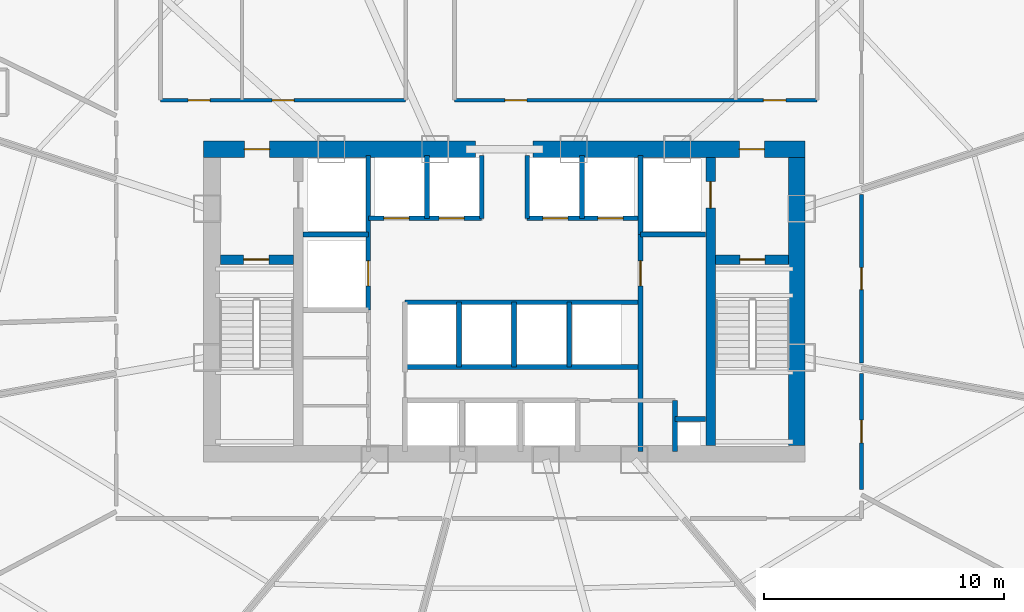
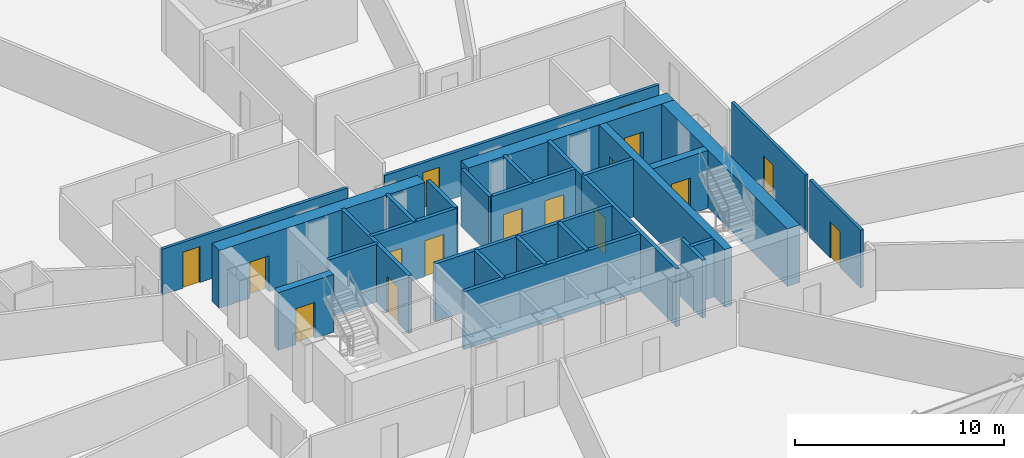
# One storey, part 30 of 37: 28 walls, 17 doors, 17 openings.
"""IFC4 building model written with IfcOpenShell, lengths in metres."""

from ifc_helpers import new_model, si_unit, direction, frame, frame_2d, origin, origin_with_axes, place, context, subcontext, project, spatial, rectangle, extrude, source, transform, mapped, material, layer, layer_set, type_object, element, fill, save


model = new_model("IFC4")

# Units and contexts
model_context = context("Model", 3, precision=1e-05, world=origin(), true_north=direction((0.0, 1.0)))
body_context = subcontext(model_context, "Body", "Model", "MODEL_VIEW")
ifc_project = project(units=[si_unit("LENGTHUNIT", "METRE"), si_unit("AREAUNIT", "SQUARE_METRE"), si_unit("VOLUMEUNIT", "CUBIC_METRE"), si_unit("PLANEANGLEUNIT", "RADIAN"), si_unit("MASSUNIT", "GRAM", prefix="KILO"), si_unit("THERMODYNAMICTEMPERATUREUNIT", "KELVIN"), si_unit("POWERUNIT", "WATT")], contexts=[model_context])

# Site, building, storey
site_placement = place(None, origin())
site = spatial("IfcSite", under=ifc_project, at=site_placement, CompositionType="ELEMENT")
building_placement = place(site_placement, origin())
building = spatial("IfcBuilding", under=site, at=building_placement, Name="Yunzhuo Pagoda Commons", CompositionType="ELEMENT")
storey_placement = place(building_placement, frame((0.0, 0.0, 55.81005859375)))
storey = spatial("IfcBuildingStorey", under=building, at=storey_placement, Name="L14", CompositionType="ELEMENT", Elevation=55.81005859375)

# Wall, opening, door
ifc_material_1 = material(Name="Concrete C60", Category="concrete")
ifc_layer_1 = layer(ifc_material_1, 0.699951171875)
ifc_layer_set_1 = layer_set([ifc_layer_1], Name="Concrete C60")
wall_type_1 = type_object("IfcWallType", Name="W-C01 Lower Core Shear Wall 700", PredefinedType="SHEAR", material=ifc_layer_set_1)
wall_1_placement = place(storey_placement, frame((35.449951171875, 40.199951171875, 0.0), z_axis=(0.0, 0.0, 1.0), x_axis=(1.0, 0.0, 0.0)))
wall_1 = element("IfcWall", 1, at=wall_1_placement, inside=storey, type_object=wall_type_1, Name="L14 core shear wall NW", PredefinedType="SHEAR", context=body_context, shape_type="SweptSolid", body=[
    extrude(rectangle(XDim=11.35009765625, YDim=0.699951171875, at=frame_2d((5.675048828125, 0.0))), origin(), (0.0, 0.0, 1.0), 3.369873046875),
])
opening_1_placement = place(wall_1_placement, frame((1.699951171875, 0.0, 0.0)))
opening_1 = element("IfcOpeningElement", 2, at=opening_1_placement, cuts=wall_1, Name="Opening D-02", PredefinedType="OPENING", context=body_context, shape_type="SweptSolid", body=[
    extrude(rectangle(XDim=1.050048828125, YDim=2.10009765625, at=frame_2d((0.52490234375, 1.050048828125))), frame((0.0, 0.35986328125, 0.0), z_axis=(0.0, -1.0, 0.0), x_axis=(1.0, 0.0, 0.0)), (0.0, 0.0, 1.0), 0.719970703125),
])
ifc_material_2 = material(Name="Galvanized fire-resisting metal leaf")
door_type_1 = type_object("IfcDoorType", Name="D-02 Firefighting Lobby & Refuge Fire Door 1050x2100", OperationType="NOTDEFINED", PredefinedType="DOOR", material=ifc_material_2)
shared_shape_1 = source(origin(), body_context, "Body", "SweptSolid", [
    extrude(rectangle(XDim=1.050048828125, YDim=2.10009765625, at=frame_2d((0.52490234375, 1.050048828125))), frame((0.0, 0.02490234375, 0.0), z_axis=(0.0, -1.0, 0.0), x_axis=(1.0, 0.0, 0.0)), (0.0, 0.0, 1.0), 0.050048828125),
])
door_1_placement = place(opening_1_placement, frame((1.050048828125, 0.0, 0.0), z_axis=(0.0, 0.0, 1.0), x_axis=(-1.0, 0.0, 0.0)))
door_1 = element("IfcDoor", 3, at=door_1_placement, inside=storey, type_object=door_type_1, Name="L14 Firefighting Lobby 1 fire door", OperationType="SINGLE_SWING_LEFT", OverallHeight=2.10009765625, OverallWidth=1.050048828125, PredefinedType="DOOR", context=body_context, shape_type="MappedRepresentation", body=[
    mapped(shared_shape_1, transform((0.0, 0.0, 0.0), scale=1.0)),
])
fill(opening_1, door_1)

wall_2_placement = place(storey_placement, frame((49.199951171875, 40.199951171875, 0.0), z_axis=(0.0, 0.0, 1.0), x_axis=(1.0, 0.0, 0.0)))
wall_2 = element("IfcWall", 4, at=wall_2_placement, inside=storey, type_object=wall_type_1, Name="L14 core shear wall NE", PredefinedType="SHEAR", context=body_context, shape_type="SweptSolid", body=[
    extrude(rectangle(XDim=11.35009765625, YDim=0.699951171875, at=frame_2d((5.675048828125, 0.0))), origin(), (0.0, 0.0, 1.0), 3.369873046875),
])
opening_2_placement = place(wall_2_placement, frame((8.60009765625, 0.0, 0.0)))
opening_2 = element("IfcOpeningElement", 5, at=opening_2_placement, cuts=wall_2, Name="Opening D-02", PredefinedType="OPENING", context=body_context, shape_type="SweptSolid", body=[
    extrude(rectangle(XDim=1.050048828125, YDim=2.10009765625, at=frame_2d((0.52490234375, 1.050048828125))), frame((0.0, 0.35986328125, 0.0), z_axis=(0.0, -1.0, 0.0), x_axis=(1.0, 0.0, 0.0)), (0.0, 0.0, 1.0), 0.719970703125),
])
door_2_placement = place(opening_2_placement, frame((1.050048828125, 0.0, 0.0), z_axis=(0.0, 0.0, 1.0), x_axis=(-1.0, 0.0, 0.0)))
door_2 = element("IfcDoor", 6, at=door_2_placement, inside=storey, type_object=door_type_1, Name="L14 Firefighting Lobby 2 fire door", OperationType="SINGLE_SWING_RIGHT", OverallHeight=2.10009765625, OverallWidth=1.050048828125, PredefinedType="DOOR", context=body_context, shape_type="MappedRepresentation", body=[
    mapped(shared_shape_1, transform((0.0, 0.0, 0.0), scale=1.0)),
])
fill(opening_2, door_2)

# Wall
wall_3_placement = place(storey_placement, frame((60.199951171875, 27.85009765625, 0.0), z_axis=(0.0, 0.0, 1.0), x_axis=(0.0, 1.0, 0.0)))
element("IfcWall", 7, at=wall_3_placement, inside=storey, type_object=wall_type_1, Name="L14 core shear wall E", PredefinedType="SHEAR", context=body_context, shape_type="SweptSolid", body=[
    extrude(rectangle(XDim=12.0, YDim=0.699951171875, at=frame_2d((6.0, 0.0))), origin(), (0.0, 0.0, 1.0), 3.369873046875),
])

# Wall, openings, doors
ifc_material_3 = material(Name="Gypsum plasterboard on acoustic stud")
ifc_layer_2 = layer(ifc_material_3, 0.159912109375)
ifc_layer_set_2 = layer_set([ifc_layer_2], Name="Gypsum plasterboard on acoustic stud")
wall_type_2 = type_object("IfcWallType", Name="W-COR1 Tower Rated Corridor Wall 160", PredefinedType="PARTITIONING", material=ifc_layer_set_2)
wall_4_placement = place(storey_placement, frame((33.64990234375, 42.25, 0.0), z_axis=(0.0, 0.0, 1.0), x_axis=(1.0, 0.0, 0.0)))
wall_4 = element("IfcWall", 8, at=wall_4_placement, inside=storey, type_object=wall_type_2, Name="L14 interior wall IW-L14-ISLWS", PredefinedType="PARTITIONING", context=body_context, shape_type="SweptSolid", body=[
    extrude(rectangle(XDim=10.22998046875, YDim=0.159912109375, at=frame_2d((5.114990234375, 0.0))), origin(), (0.0, 0.0, 1.0), 2.669921875),
])
opening_3_placement = place(wall_4_placement, frame((1.14990234375, 0.0, 0.0)))
opening_3 = element("IfcOpeningElement", 9, at=opening_3_placement, cuts=wall_4, Name="Opening D-04", PredefinedType="OPENING", context=body_context, shape_type="SweptSolid", body=[
    extrude(rectangle(XDim=0.919921875, YDim=2.10009765625, at=frame_2d((0.4599609375, 1.050048828125))), frame((0.0, 0.08984375, 0.0), z_axis=(0.0, -1.0, 0.0), x_axis=(1.0, 0.0, 0.0)), (0.0, 0.0, 1.0), 0.179931640625),
])
opening_4_placement = place(wall_4_placement, frame((4.64990234375, 0.0, 0.0)))
opening_4 = element("IfcOpeningElement", 10, at=opening_4_placement, cuts=wall_4, Name="Opening D-04", PredefinedType="OPENING", context=body_context, shape_type="SweptSolid", body=[
    extrude(rectangle(XDim=0.919921875, YDim=2.10009765625, at=frame_2d((0.4599609375, 1.050048828125))), frame((0.0, 0.08984375, 0.0), z_axis=(0.0, -1.0, 0.0), x_axis=(1.0, 0.0, 0.0)), (0.0, 0.0, 1.0), 0.179931640625),
])
ifc_material_4 = material(Name="Powder-coated aluminium and timber acoustic leaf", Category="wood")
door_type_2 = type_object("IfcDoorType", Name="D-04 Bedroom & Study Interior Door 920x2100", OperationType="NOTDEFINED", PredefinedType="DOOR", material=ifc_material_4)
shared_shape_2 = source(origin(), body_context, "Body", "SweptSolid", [
    extrude(rectangle(XDim=0.919921875, YDim=2.10009765625, at=frame_2d((0.4599609375, 1.050048828125))), frame((0.0, 0.02490234375, 0.0), z_axis=(0.0, -1.0, 0.0), x_axis=(1.0, 0.0, 0.0)), (0.0, 0.0, 1.0), 0.050048828125),
])
door_3_placement = place(opening_3_placement, frame((0.919921875, 0.0, 0.0), z_axis=(0.0, 0.0, 1.0), x_axis=(-1.0, 0.0, 0.0)))
door_3 = element("IfcDoor", 11, at=door_3_placement, inside=storey, type_object=door_type_2, Name="L14 laundry door", OperationType="SINGLE_SWING_LEFT", OverallHeight=2.10009765625, OverallWidth=0.919921875, PredefinedType="DOOR", context=body_context, shape_type="MappedRepresentation", body=[
    mapped(shared_shape_2, transform((0.0, 0.0, 0.0), scale=1.0)),
])
fill(opening_3, door_3)
door_4_placement = place(opening_4_placement, frame((0.919921875, 0.0, 0.0), z_axis=(0.0, 0.0, 1.0), x_axis=(-1.0, 0.0, 0.0)))
door_4 = element("IfcDoor", 12, at=door_4_placement, inside=storey, type_object=door_type_2, Name="L14 study commons W door", OperationType="SINGLE_SWING_RIGHT", OverallHeight=2.10009765625, OverallWidth=0.919921875, PredefinedType="DOOR", context=body_context, shape_type="MappedRepresentation", body=[
    mapped(shared_shape_2, transform((0.0, 0.0, 0.0), scale=1.0)),
])
fill(opening_4, door_4)

wall_5_placement = place(storey_placement, frame((45.919921875, 42.25, 0.0), z_axis=(0.0, 0.0, 1.0), x_axis=(1.0, 0.0, 0.0)))
wall_5 = element("IfcWall", 13, at=wall_5_placement, inside=storey, type_object=wall_type_2, Name="L14 interior wall IW-L14-ISLES", PredefinedType="PARTITIONING", context=body_context, shape_type="SweptSolid", body=[
    extrude(rectangle(XDim=15.130126953125, YDim=0.159912109375, at=frame_2d((7.56494140625, 0.0))), origin(), (0.0, 0.0, 1.0), 2.669921875),
])
opening_5_placement = place(wall_5_placement, frame((2.10009765625, 0.0, 0.0)))
opening_5 = element("IfcOpeningElement", 14, at=opening_5_placement, cuts=wall_5, Name="Opening D-04", PredefinedType="OPENING", context=body_context, shape_type="SweptSolid", body=[
    extrude(rectangle(XDim=0.919921875, YDim=2.10009765625, at=frame_2d((0.4599609375, 1.050048828125))), frame((0.0, 0.08984375, 0.0), z_axis=(0.0, -1.0, 0.0), x_axis=(1.0, 0.0, 0.0)), (0.0, 0.0, 1.0), 0.179931640625),
])
opening_6_placement = place(wall_5_placement, frame((12.8798828125, 0.0, 0.0)))
opening_6 = element("IfcOpeningElement", 15, at=opening_6_placement, cuts=wall_5, Name="Opening D-11", PredefinedType="OPENING", context=body_context, shape_type="SweptSolid", body=[
    extrude(rectangle(XDim=0.93994140625, YDim=2.10009765625, at=frame_2d((0.469970703125, 1.050048828125))), frame((0.0, 0.08984375, 0.0), z_axis=(0.0, -1.0, 0.0), x_axis=(1.0, 0.0, 0.0)), (0.0, 0.0, 1.0), 0.179931640625),
])
door_type_3 = type_object("IfcDoorType", Name="D-11 Accessible Washroom Fire Door 940x2100", OperationType="NOTDEFINED", PredefinedType="DOOR", material=ifc_material_2)
shared_shape_3 = source(origin(), body_context, "Body", "SweptSolid", [
    extrude(rectangle(XDim=0.93994140625, YDim=2.10009765625, at=frame_2d((0.469970703125, 1.050048828125))), frame((0.0, 0.02490234375, 0.0), z_axis=(0.0, -1.0, 0.0), x_axis=(1.0, 0.0, 0.0)), (0.0, 0.0, 1.0), 0.050048828125),
])
door_5_placement = place(opening_6_placement, frame((0.93994140625, 0.0, 0.0), z_axis=(0.0, 0.0, 1.0), x_axis=(-1.0, 0.0, 0.0)))
door_5 = element("IfcDoor", 16, at=door_5_placement, inside=storey, type_object=door_type_3, Name="L14 accessible WC door", OperationType="SINGLE_SWING_RIGHT", OverallHeight=2.10009765625, OverallWidth=0.93994140625, PredefinedType="DOOR", context=body_context, shape_type="MappedRepresentation", body=[
    mapped(shared_shape_3, transform((0.0, 0.0, 0.0), scale=1.0)),
])
fill(opening_6, door_5)
door_6_placement = place(opening_5_placement, frame((0.919921875, 0.0, 0.0), z_axis=(0.0, 0.0, 1.0), x_axis=(-1.0, 0.0, 0.0)))
door_6 = element("IfcDoor", 17, at=door_6_placement, inside=storey, type_object=door_type_2, Name="L14 reading commons door", OperationType="SINGLE_SWING_LEFT", OverallHeight=2.10009765625, OverallWidth=0.919921875, PredefinedType="DOOR", context=body_context, shape_type="MappedRepresentation", body=[
    mapped(shared_shape_2, transform((0.0, 0.0, 0.0), scale=1.0)),
])
fill(opening_5, door_6)

# Wall, opening, door
wall_6_placement = place(storey_placement, frame((62.89990234375, 38.321533203125, 0.0), z_axis=(0.0, 0.0, 1.0), x_axis=(0.0, -1.0, 0.0)))
wall_6 = element("IfcWall", 18, at=wall_6_placement, inside=storey, type_object=wall_type_2, Name="L14 interior wall IW-L14-CWL14", PredefinedType="PARTITIONING", context=body_context, shape_type="SweptSolid", body=[
    extrude(rectangle(XDim=7.029052734375, YDim=0.159912109375, at=frame_2d((3.5146484375, 0.0))), origin(), (0.0, 0.0, 1.0), 3.369873046875),
])
opening_7_placement = place(wall_6_placement, frame((3.054443359375, 0.0, 0.0)))
opening_7 = element("IfcOpeningElement", 19, at=opening_7_placement, cuts=wall_6, Name="Opening D-04", PredefinedType="OPENING", context=body_context, shape_type="SweptSolid", body=[
    extrude(rectangle(XDim=0.919921875, YDim=2.10009765625, at=frame_2d((0.4599609375, 1.050048828125))), frame((0.0, 0.08984375, 0.0), z_axis=(0.0, -1.0, 0.0), x_axis=(1.0, 0.0, 0.0)), (0.0, 0.0, 1.0), 0.179931640625),
])
door_7_placement = place(opening_7_placement, origin_with_axes())
door_7 = element("IfcDoor", 20, at=door_7_placement, inside=storey, type_object=door_type_2, Name="L14 seminar room 01 door", OperationType="SINGLE_SWING_LEFT", OverallHeight=2.10009765625, OverallWidth=0.919921875, PredefinedType="DOOR", context=body_context, shape_type="MappedRepresentation", body=[
    mapped(shared_shape_2, transform((0.0, 0.0, 0.0), scale=1.0)),
])
fill(opening_7, door_7)

wall_7_placement = place(storey_placement, frame((62.89990234375, 30.849365234375, 0.0), z_axis=(0.0, 0.0, 1.0), x_axis=(0.0, -1.0, 0.0)))
wall_7 = element("IfcWall", 21, at=wall_7_placement, inside=storey, type_object=wall_type_2, Name="L14 interior wall IW-L14-CWL15", PredefinedType="PARTITIONING", context=body_context, shape_type="SweptSolid", body=[
    extrude(rectangle(XDim=4.851806640625, YDim=0.159912109375, at=frame_2d((2.42578125, 0.0))), origin(), (0.0, 0.0, 1.0), 3.369873046875),
])
opening_8_placement = place(wall_7_placement, frame((1.94921875, 0.0, 0.0)))
opening_8 = element("IfcOpeningElement", 22, at=opening_8_placement, cuts=wall_7, Name="Opening D-06", PredefinedType="OPENING", context=body_context, shape_type="SweptSolid", body=[
    extrude(rectangle(XDim=0.949951171875, YDim=2.10009765625, at=frame_2d((0.47509765625, 1.050048828125))), frame((0.0, 0.08984375, 0.0), z_axis=(0.0, -1.0, 0.0), x_axis=(1.0, 0.0, 0.0)), (0.0, 0.0, 1.0), 0.179931640625),
])
door_type_4 = type_object("IfcDoorType", Name="D-06 Co-Living Suite Entrance Fire Door 950x2100", OperationType="NOTDEFINED", PredefinedType="DOOR", material=ifc_material_2)
shared_shape_4 = source(origin(), body_context, "Body", "SweptSolid", [
    extrude(rectangle(XDim=0.949951171875, YDim=2.10009765625, at=frame_2d((0.47509765625, 1.050048828125))), frame((0.0, 0.02490234375, 0.0), z_axis=(0.0, -1.0, 0.0), x_axis=(1.0, 0.0, 0.0)), (0.0, 0.0, 1.0), 0.050048828125),
])
door_8_placement = place(opening_8_placement, origin_with_axes())
door_8 = element("IfcDoor", 23, at=door_8_placement, inside=storey, type_object=door_type_4, Name="L14 unit 14 entrance door", OperationType="SINGLE_SWING_RIGHT", OverallHeight=2.10009765625, OverallWidth=0.949951171875, PredefinedType="DOOR", context=body_context, shape_type="MappedRepresentation", body=[
    mapped(shared_shape_4, transform((0.0, 0.0, 0.0), scale=1.0)),
])
fill(opening_8, door_8)

ifc_layer_3 = layer(ifc_material_1, 0.39990234375)
ifc_layer_set_3 = layer_set([ifc_layer_3], Name="Concrete C60")
wall_type_3 = type_object("IfcWallType", Name="W-S01 Internal Core Shear Web 400", PredefinedType="SHEAR", material=ifc_layer_set_3)
wall_8_placement = place(storey_placement, frame((56.60009765625, 27.85009765625, 0.0), z_axis=(0.0, 0.0, 1.0), x_axis=(0.0, 1.0, 0.0)))
wall_8 = element("IfcWall", 24, at=wall_8_placement, inside=storey, type_object=wall_type_3, Name="L14 core shear wall WEBE", PredefinedType="SHEAR", context=body_context, shape_type="SweptSolid", body=[
    extrude(rectangle(XDim=12.0, YDim=0.39990234375, at=frame_2d((6.0, 0.0))), origin(), (0.0, 0.0, 1.0), 3.369873046875),
])
opening_9_placement = place(wall_8_placement, frame((9.89990234375, 0.0, 0.0)))
opening_9 = element("IfcOpeningElement", 25, at=opening_9_placement, cuts=wall_8, Name="Opening LD-01", PredefinedType="OPENING", context=body_context, shape_type="SweptSolid", body=[
    extrude(rectangle(XDim=1.10009765625, YDim=2.10009765625, at=frame_2d((0.550048828125, 1.050048828125))), frame((0.0, 0.2099609375, 0.0), z_axis=(0.0, -1.0, 0.0), x_axis=(1.0, 0.0, 0.0)), (0.0, 0.0, 1.0), 0.419921875),
])
door_type_5 = type_object("IfcDoorType", Name="LD-01 Firefighting Lift Landing Door 1100x2100", OperationType="DOUBLE_DOOR_SLIDING", PredefinedType="DOOR", material=ifc_material_2)
shared_shape_5 = source(origin(), body_context, "Body", "SweptSolid", [
    extrude(rectangle(XDim=1.10009765625, YDim=2.10009765625, at=frame_2d((0.550048828125, 1.050048828125))), frame((0.0, 0.02490234375, 0.0), z_axis=(0.0, -1.0, 0.0), x_axis=(1.0, 0.0, 0.0)), (0.0, 0.0, 1.0), 0.050048828125),
])
door_9_placement = place(opening_9_placement, origin_with_axes())
door_9 = element("IfcDoor", 26, at=door_9_placement, inside=storey, type_object=door_type_5, Name="L14 Firefighting lift FL-2 landing door", OperationType="DOUBLE_DOOR_SLIDING", OverallHeight=2.10009765625, OverallWidth=1.10009765625, PredefinedType="DOOR", context=body_context, shape_type="MappedRepresentation", body=[
    mapped(shared_shape_5, transform((0.0, 0.0, 0.0), scale=1.0)),
])
fill(opening_9, door_9)

wall_9_placement = place(storey_placement, frame((36.14990234375, 35.60009765625, 0.0), z_axis=(0.0, 0.0, 1.0), x_axis=(1.0, 0.0, 0.0)))
wall_9 = element("IfcWall", 27, at=wall_9_placement, inside=storey, type_object=wall_type_3, Name="L14 core shear wall STW", PredefinedType="SHEAR", context=body_context, shape_type="SweptSolid", body=[
    extrude(rectangle(XDim=3.050048828125, YDim=0.39990234375, at=frame_2d((1.52490234375, 0.0))), origin(), (0.0, 0.0, 1.0), 3.369873046875),
])
opening_10_placement = place(wall_9_placement, frame((0.969970703125, 0.0, 0.0)))
opening_10 = element("IfcOpeningElement", 28, at=opening_10_placement, cuts=wall_9, Name="Opening D-01", PredefinedType="OPENING", context=body_context, shape_type="SweptSolid", body=[
    extrude(rectangle(XDim=1.050048828125, YDim=2.10009765625, at=frame_2d((0.52490234375, 1.050048828125))), frame((0.0, 0.2099609375, 0.0), z_axis=(0.0, -1.0, 0.0), x_axis=(1.0, 0.0, 0.0)), (0.0, 0.0, 1.0), 0.419921875),
])
door_type_6 = type_object("IfcDoorType", Name="D-01 Smokeproof Stair Fire Door 1050x2100", OperationType="NOTDEFINED", PredefinedType="DOOR", material=ifc_material_2)
door_10_placement = place(opening_10_placement, frame((1.050048828125, 0.0, 0.0), z_axis=(0.0, 0.0, 1.0), x_axis=(-1.0, 0.0, 0.0)))
door_10 = element("IfcDoor", 29, at=door_10_placement, inside=storey, type_object=door_type_6, Name="L14 Stair ST1 fire door", OperationType="SINGLE_SWING_LEFT", OverallHeight=2.10009765625, OverallWidth=1.050048828125, PredefinedType="DOOR", context=body_context, shape_type="MappedRepresentation", body=[
    mapped(shared_shape_1, transform((0.0, 0.0, 0.0), scale=1.0)),
])
fill(opening_10, door_10)

wall_10_placement = place(storey_placement, frame((56.800048828125, 35.60009765625, 0.0), z_axis=(0.0, 0.0, 1.0), x_axis=(1.0, 0.0, 0.0)))
wall_10 = element("IfcWall", 30, at=wall_10_placement, inside=storey, type_object=wall_type_3, Name="L14 core shear wall STE", PredefinedType="SHEAR", context=body_context, shape_type="SweptSolid", body=[
    extrude(rectangle(XDim=3.050048828125, YDim=0.39990234375, at=frame_2d((1.52490234375, 0.0))), origin(), (0.0, 0.0, 1.0), 3.369873046875),
])
opening_11_placement = place(wall_10_placement, frame((1.02001953125, 0.0, 0.0)))
opening_11 = element("IfcOpeningElement", 31, at=opening_11_placement, cuts=wall_10, Name="Opening D-01", PredefinedType="OPENING", context=body_context, shape_type="SweptSolid", body=[
    extrude(rectangle(XDim=1.050048828125, YDim=2.10009765625, at=frame_2d((0.52490234375, 1.050048828125))), frame((0.0, 0.2099609375, 0.0), z_axis=(0.0, -1.0, 0.0), x_axis=(1.0, 0.0, 0.0)), (0.0, 0.0, 1.0), 0.419921875),
])
door_11_placement = place(opening_11_placement, frame((1.050048828125, 0.0, 0.0), z_axis=(0.0, 0.0, 1.0), x_axis=(-1.0, 0.0, 0.0)))
door_11 = element("IfcDoor", 32, at=door_11_placement, inside=storey, type_object=door_type_6, Name="L14 Stair ST2 fire door", OperationType="SINGLE_SWING_RIGHT", OverallHeight=2.10009765625, OverallWidth=1.050048828125, PredefinedType="DOOR", context=body_context, shape_type="MappedRepresentation", body=[
    mapped(shared_shape_1, transform((0.0, 0.0, 0.0), scale=1.0)),
])
fill(opening_11, door_11)

ifc_material_5 = material(Name="Concrete C40", Category="concrete")
ifc_layer_4 = layer(ifc_material_5, 0.199951171875)
ifc_layer_set_4 = layer_set([ifc_layer_4], Name="Concrete C40")
wall_type_4 = type_object("IfcWallType", Name="W-SHF Shaft & Stair Enclosure Wall 200", PredefinedType="SOLIDWALL", material=ifc_layer_set_4)
wall_11_placement = place(storey_placement, frame((42.320068359375, 33.5, 0.0), z_axis=(0.0, 0.0, 1.0), x_axis=(0.0, 1.0, 0.0)))
wall_11 = element("IfcWall", 33, at=wall_11_placement, inside=storey, type_object=wall_type_4, Name="L14 interior wall IW-L14-FL1E", PredefinedType="SOLIDWALL", context=body_context, shape_type="SweptSolid", body=[
    extrude(rectangle(XDim=6.449951171875, YDim=0.199951171875, at=frame_2d((3.22509765625, 0.0))), origin(), (0.0, 0.0, 1.0), 3.369873046875),
])
opening_12_placement = place(wall_11_placement, frame((1.0, 0.0, 0.0)))
opening_12 = element("IfcOpeningElement", 34, at=opening_12_placement, cuts=wall_11, Name="Opening LD-02", PredefinedType="OPENING", context=body_context, shape_type="SweptSolid", body=[
    extrude(rectangle(XDim=1.050048828125, YDim=2.10009765625, at=frame_2d((0.52490234375, 1.050048828125))), frame((0.0, 0.10986328125, 0.0), z_axis=(0.0, -1.0, 0.0), x_axis=(1.0, 0.0, 0.0)), (0.0, 0.0, 1.0), 0.219970703125),
])
door_type_7 = type_object("IfcDoorType", Name="LD-02 Passenger Lift Landing Door 1050x2100", OperationType="DOUBLE_DOOR_SLIDING", PredefinedType="DOOR", material=ifc_material_2)
door_12_placement = place(opening_12_placement, origin_with_axes())
door_12 = element("IfcDoor", 35, at=door_12_placement, inside=storey, type_object=door_type_7, Name="L14 Service lift SL-1 landing door", OperationType="DOUBLE_DOOR_SLIDING", OverallHeight=2.10009765625, OverallWidth=1.050048828125, PredefinedType="DOOR", context=body_context, shape_type="MappedRepresentation", body=[
    mapped(shared_shape_1, transform((0.0, 0.0, 0.0), scale=1.0)),
])
fill(opening_12, door_12)

# Walls
wall_12_placement = place(storey_placement, frame((39.60009765625, 36.64990234375, 0.0), z_axis=(0.0, 0.0, 1.0), x_axis=(1.0, 0.0, 0.0)))
element("IfcWall", 36, at=wall_12_placement, inside=storey, type_object=wall_type_4, Name="L14 interior wall IW-L14-FL1S", PredefinedType="SOLIDWALL", context=body_context, shape_type="SweptSolid", body=[
    extrude(rectangle(XDim=2.719970703125, YDim=0.199951171875, at=frame_2d((1.35986328125, 0.0))), origin(), (0.0, 0.0, 1.0), 3.369873046875),
])
wall_13_placement = place(storey_placement, frame((53.679931640625, 36.64990234375, 0.0), z_axis=(0.0, 0.0, 1.0), x_axis=(0.0, 1.0, 0.0)))
element("IfcWall", 37, at=wall_13_placement, inside=storey, type_object=wall_type_4, Name="L14 interior wall IW-L14-FL2W", PredefinedType="SOLIDWALL", context=body_context, shape_type="SweptSolid", body=[
    extrude(rectangle(XDim=3.300048828125, YDim=0.199951171875, at=frame_2d((1.64990234375, 0.0))), origin(), (0.0, 0.0, 1.0), 3.369873046875),
])
wall_14_placement = place(storey_placement, frame((53.679931640625, 36.64990234375, 0.0), z_axis=(0.0, 0.0, 1.0), x_axis=(1.0, 0.0, 0.0)))
element("IfcWall", 38, at=wall_14_placement, inside=storey, type_object=wall_type_4, Name="L14 interior wall IW-L14-FL2S", PredefinedType="SOLIDWALL", context=body_context, shape_type="SweptSolid", body=[
    extrude(rectangle(XDim=2.719970703125, YDim=0.199951171875, at=frame_2d((1.35986328125, 0.0))), origin(), (0.0, 0.0, 1.0), 3.369873046875),
])

# Wall, openings, doors
wall_15_placement = place(storey_placement, frame((42.320068359375, 37.320068359375, 0.0), z_axis=(0.0, 0.0, 1.0), x_axis=(1.0, 0.0, 0.0)))
wall_15 = element("IfcWall", 39, at=wall_15_placement, inside=storey, type_object=wall_type_4, Name="L14 interior wall IW-L14-LBNW", PredefinedType="SOLIDWALL", context=body_context, shape_type="SweptSolid", body=[
    extrude(rectangle(XDim=4.72998046875, YDim=0.199951171875, at=frame_2d((2.364990234375, 0.0))), origin(), (0.0, 0.0, 1.0), 3.369873046875),
])
opening_13_placement = place(wall_15_placement, frame((0.64990234375, 0.0, 0.0)))
opening_13 = element("IfcOpeningElement", 40, at=opening_13_placement, cuts=wall_15, Name="Opening LD-02", PredefinedType="OPENING", context=body_context, shape_type="SweptSolid", body=[
    extrude(rectangle(XDim=1.050048828125, YDim=2.10009765625, at=frame_2d((0.52490234375, 1.050048828125))), frame((0.0, 0.10986328125, 0.0), z_axis=(0.0, -1.0, 0.0), x_axis=(1.0, 0.0, 0.0)), (0.0, 0.0, 1.0), 0.219970703125),
])
opening_14_placement = place(wall_15_placement, frame((2.949951171875, 0.0, 0.0)))
opening_14 = element("IfcOpeningElement", 41, at=opening_14_placement, cuts=wall_15, Name="Opening LD-02", PredefinedType="OPENING", context=body_context, shape_type="SweptSolid", body=[
    extrude(rectangle(XDim=1.050048828125, YDim=2.10009765625, at=frame_2d((0.52490234375, 1.050048828125))), frame((0.0, 0.10986328125, 0.0), z_axis=(0.0, -1.0, 0.0), x_axis=(1.0, 0.0, 0.0)), (0.0, 0.0, 1.0), 0.219970703125),
])
door_13_placement = place(opening_13_placement, frame((1.050048828125, 0.0, 0.0), z_axis=(0.0, 0.0, 1.0), x_axis=(-1.0, 0.0, 0.0)))
door_13 = element("IfcDoor", 42, at=door_13_placement, inside=storey, type_object=door_type_7, Name="L14 Passenger lift PL-L1 landing door", OperationType="DOUBLE_DOOR_SLIDING", OverallHeight=2.10009765625, OverallWidth=1.050048828125, PredefinedType="DOOR", context=body_context, shape_type="MappedRepresentation", body=[
    mapped(shared_shape_1, transform((0.0, 0.0, 0.0), scale=1.0)),
])
fill(opening_13, door_13)
door_14_placement = place(opening_14_placement, frame((1.050048828125, 0.0, 0.0), z_axis=(0.0, 0.0, 1.0), x_axis=(-1.0, 0.0, 0.0)))
door_14 = element("IfcDoor", 43, at=door_14_placement, inside=storey, type_object=door_type_7, Name="L14 Passenger lift PL-L2 landing door", OperationType="DOUBLE_DOOR_SLIDING", OverallHeight=2.10009765625, OverallWidth=1.050048828125, PredefinedType="DOOR", context=body_context, shape_type="MappedRepresentation", body=[
    mapped(shared_shape_1, transform((0.0, 0.0, 0.0), scale=1.0)),
])
fill(opening_14, door_14)

wall_16_placement = place(storey_placement, frame((48.949951171875, 37.320068359375, 0.0), z_axis=(0.0, 0.0, 1.0), x_axis=(1.0, 0.0, 0.0)))
wall_16 = element("IfcWall", 44, at=wall_16_placement, inside=storey, type_object=wall_type_4, Name="L14 interior wall IW-L14-LBNE", PredefinedType="SOLIDWALL", context=body_context, shape_type="SweptSolid", body=[
    extrude(rectangle(XDim=4.72998046875, YDim=0.199951171875, at=frame_2d((2.364990234375, 0.0))), origin(), (0.0, 0.0, 1.0), 3.369873046875),
])
opening_15_placement = place(wall_16_placement, frame((0.64990234375, 0.0, 0.0)))
opening_15 = element("IfcOpeningElement", 45, at=opening_15_placement, cuts=wall_16, Name="Opening LD-02", PredefinedType="OPENING", context=body_context, shape_type="SweptSolid", body=[
    extrude(rectangle(XDim=1.050048828125, YDim=2.10009765625, at=frame_2d((0.52490234375, 1.050048828125))), frame((0.0, 0.10986328125, 0.0), z_axis=(0.0, -1.0, 0.0), x_axis=(1.0, 0.0, 0.0)), (0.0, 0.0, 1.0), 0.219970703125),
])
opening_16_placement = place(wall_16_placement, frame((2.949951171875, 0.0, 0.0)))
opening_16 = element("IfcOpeningElement", 46, at=opening_16_placement, cuts=wall_16, Name="Opening LD-02", PredefinedType="OPENING", context=body_context, shape_type="SweptSolid", body=[
    extrude(rectangle(XDim=1.050048828125, YDim=2.10009765625, at=frame_2d((0.52490234375, 1.050048828125))), frame((0.0, 0.10986328125, 0.0), z_axis=(0.0, -1.0, 0.0), x_axis=(1.0, 0.0, 0.0)), (0.0, 0.0, 1.0), 0.219970703125),
])
door_15_placement = place(opening_15_placement, frame((1.050048828125, 0.0, 0.0), z_axis=(0.0, 0.0, 1.0), x_axis=(-1.0, 0.0, 0.0)))
door_15 = element("IfcDoor", 47, at=door_15_placement, inside=storey, type_object=door_type_7, Name="L14 Passenger lift PL-L3 landing door", OperationType="DOUBLE_DOOR_SLIDING", OverallHeight=2.10009765625, OverallWidth=1.050048828125, PredefinedType="DOOR", context=body_context, shape_type="MappedRepresentation", body=[
    mapped(shared_shape_1, transform((0.0, 0.0, 0.0), scale=1.0)),
])
fill(opening_15, door_15)
door_16_placement = place(opening_16_placement, frame((1.050048828125, 0.0, 0.0), z_axis=(0.0, 0.0, 1.0), x_axis=(-1.0, 0.0, 0.0)))
door_16 = element("IfcDoor", 48, at=door_16_placement, inside=storey, type_object=door_type_7, Name="L14 Passenger lift PL-L4 landing door", OperationType="DOUBLE_DOOR_SLIDING", OverallHeight=2.10009765625, OverallWidth=1.050048828125, PredefinedType="DOOR", context=body_context, shape_type="MappedRepresentation", body=[
    mapped(shared_shape_1, transform((0.0, 0.0, 0.0), scale=1.0)),
])
fill(opening_16, door_16)

# Walls
for number, where, z_axis, x_axis, name in (
    (49, (47.050048828125, 37.320068359375, 0.0), (0.0, 0.0, 1.0), (0.0, 1.0, 0.0), "L14 interior wall IW-L14-THRW"),
    (50, (48.949951171875, 37.320068359375, 0.0), (0.0, 0.0, 1.0), (0.0, 1.0, 0.0), "L14 interior wall IW-L14-THRE"),
    (51, (44.77001953125, 37.320068359375, 0.0), (0.0, 0.0, 1.0), (0.0, 1.0, 0.0), "L14 interior wall IW-L14-PLL12"),
    (52, (51.22998046875, 37.320068359375, 0.0), (0.0, 0.0, 1.0), (0.0, 1.0, 0.0), "L14 interior wall IW-L14-PLL34"),
):
    element("IfcWall", number, at=place(storey_placement, frame(where, z_axis=z_axis, x_axis=x_axis)), inside=storey, type_object=wall_type_4, Name=name, PredefinedType="SOLIDWALL", context=body_context, shape_type="SweptSolid", body=[
        extrude(rectangle(XDim=2.6298828125, YDim=0.199951171875, at=frame_2d((1.31494140625, 0.0))), origin(), (0.0, 0.0, 1.0), 3.369873046875),
    ])
wall_17_placement = place(storey_placement, frame((43.85009765625, 33.820068359375, 0.0), z_axis=(0.0, 0.0, 1.0), x_axis=(1.0, 0.0, 0.0)))
element("IfcWall", 53, at=wall_17_placement, inside=storey, type_object=wall_type_4, Name="L14 interior wall IW-L14-MLBS", PredefinedType="SOLIDWALL", context=body_context, shape_type="SweptSolid", body=[
    extrude(rectangle(XDim=9.829833984375, YDim=0.199951171875, at=frame_2d((4.9150390625, 0.0))), origin(), (0.0, 0.0, 1.0), 3.369873046875),
])

# Wall, opening, door
wall_18_placement = place(storey_placement, frame((53.679931640625, 27.60009765625, 0.0), z_axis=(0.0, 0.0, 1.0), x_axis=(0.0, 1.0, 0.0)))
wall_18 = element("IfcWall", 54, at=wall_18_placement, inside=storey, type_object=wall_type_4, Name="L14 interior wall IW-L14-PLME", PredefinedType="SOLIDWALL", context=body_context, shape_type="SweptSolid", body=[
    extrude(rectangle(XDim=9.0498046875, YDim=0.199951171875, at=frame_2d((4.52490234375, 0.0))), origin(), (0.0, 0.0, 1.0), 3.369873046875),
])
opening_17_placement = place(wall_18_placement, frame((6.89990234375, 0.0, 0.0)))
opening_17 = element("IfcOpeningElement", 55, at=opening_17_placement, cuts=wall_18, Name="Opening D-02", PredefinedType="OPENING", context=body_context, shape_type="SweptSolid", body=[
    extrude(rectangle(XDim=1.050048828125, YDim=2.10009765625, at=frame_2d((0.52490234375, 1.050048828125))), frame((0.0, 0.10986328125, 0.0), z_axis=(0.0, -1.0, 0.0), x_axis=(1.0, 0.0, 0.0)), (0.0, 0.0, 1.0), 0.219970703125),
])
door_17_placement = place(opening_17_placement, origin_with_axes())
door_17 = element("IfcDoor", 56, at=door_17_placement, inside=storey, type_object=door_type_1, Name="L14 High-bank lift hall door", OperationType="SINGLE_SWING_RIGHT", OverallHeight=2.10009765625, OverallWidth=1.050048828125, PredefinedType="DOOR", context=body_context, shape_type="MappedRepresentation", body=[
    mapped(shared_shape_1, transform((0.0, 0.0, 0.0), scale=1.0)),
])
fill(opening_17, door_17)

# Walls
for number, where, z_axis, x_axis, name in (
    (57, (46.10009765625, 31.1201171875, 0.0), (0.0, 0.0, 1.0), (0.0, 1.0, 0.0), "L14 interior wall IW-L14-PLMD1"),
    (58, (48.39990234375, 31.1201171875, 0.0), (0.0, 0.0, 1.0), (0.0, 1.0, 0.0), "L14 interior wall IW-L14-PLMD2"),
    (59, (50.699951171875, 31.1201171875, 0.0), (0.0, 0.0, 1.0), (0.0, 1.0, 0.0), "L14 interior wall IW-L14-PLMD3"),
):
    element("IfcWall", number, at=place(storey_placement, frame(where, z_axis=z_axis, x_axis=x_axis)), inside=storey, type_object=wall_type_4, Name=name, PredefinedType="SOLIDWALL", context=body_context, shape_type="SweptSolid", body=[
        extrude(rectangle(XDim=2.699951171875, YDim=0.199951171875, at=frame_2d((1.35009765625, 0.0))), origin(), (0.0, 0.0, 1.0), 3.369873046875),
    ])
wall_19_placement = place(storey_placement, frame((43.85009765625, 31.1201171875, 0.0), z_axis=(0.0, 0.0, 1.0), x_axis=(1.0, 0.0, 0.0)))
element("IfcWall", 60, at=wall_19_placement, inside=storey, type_object=wall_type_4, Name="L14 interior wall IW-L14-PLMS2", PredefinedType="SOLIDWALL", context=body_context, shape_type="SweptSolid", body=[
    extrude(rectangle(XDim=9.829833984375, YDim=0.199951171875, at=frame_2d((4.9150390625, 0.0))), origin(), (0.0, 0.0, 1.0), 3.369873046875),
])
wall_20_placement = place(storey_placement, frame((55.1201171875, 27.60009765625, 0.0), z_axis=(0.0, 0.0, 1.0), x_axis=(0.0, 1.0, 0.0)))
element("IfcWall", 61, at=wall_20_placement, inside=storey, type_object=wall_type_4, Name="L14 interior wall IW-L14-RSHFW", PredefinedType="SOLIDWALL", context=body_context, shape_type="SweptSolid", body=[
    extrude(rectangle(XDim=2.119873046875, YDim=0.199951171875, at=frame_2d((1.06005859375, 0.0))), origin(), (0.0, 0.0, 1.0), 3.369873046875),
])
wall_21_placement = place(storey_placement, frame((55.1201171875, 28.949951171875, 0.0), z_axis=(0.0, 0.0, 1.0), x_axis=(1.0, 0.0, 0.0)))
element("IfcWall", 62, at=wall_21_placement, inside=storey, type_object=wall_type_4, Name="L14 interior wall IW-L14-RSHFN", PredefinedType="SOLIDWALL", context=body_context, shape_type="SweptSolid", body=[
    extrude(rectangle(XDim=1.27978515625, YDim=0.199951171875, at=frame_2d((0.639892578125, 0.0))), origin(), (0.0, 0.0, 1.0), 3.369873046875),
])

save(model, "model.ifc")
